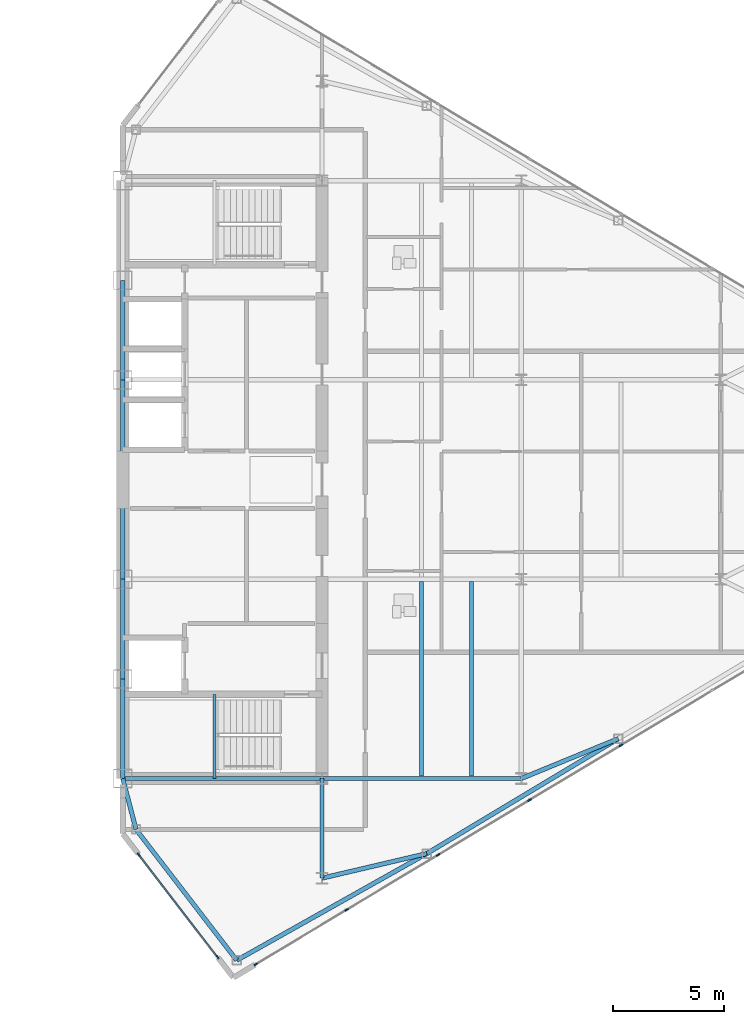
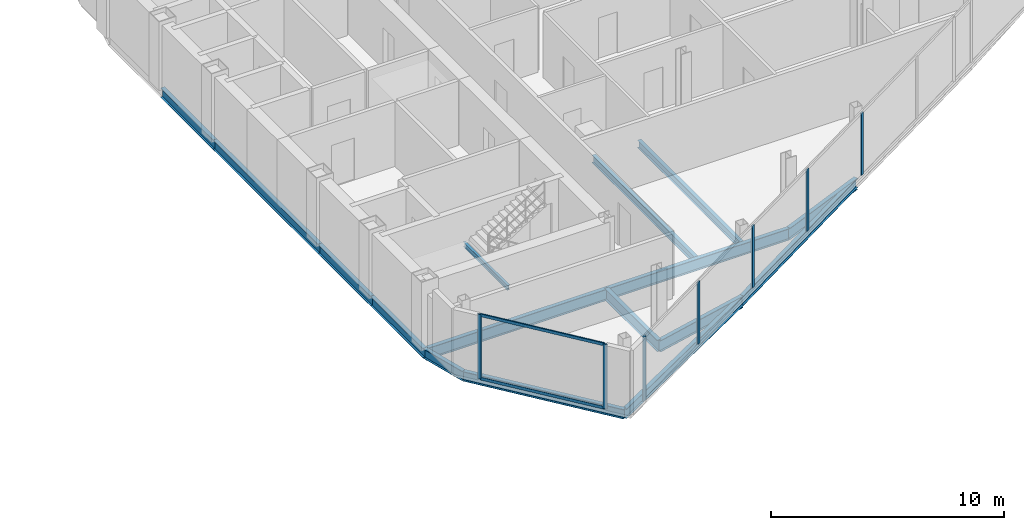
# One storey, part 11 of 26: 16 beams, 9 members, 2 elements without a shape of their own.
"""IFC4 building model written with IfcOpenShell, lengths in metres."""

from ifc_helpers import new_model, si_unit, direction, frame, origin, origin_2d, place, context, subcontext, project, spatial, rectangle, i_section, extrude, source, transform, mapped, material, layer, layer_set, material_profile, profile_set, type_object, type_shapes, element, aggregate, save


model = new_model("IFC4")

# Units and contexts
model_context = context("Model", 3, precision=1e-05, world=origin(), true_north=direction((0.0, 1.0)))
body_context = subcontext(model_context, "Body", "Model", "MODEL_VIEW")
ifc_project = project(units=[si_unit("LENGTHUNIT", "METRE"), si_unit("AREAUNIT", "SQUARE_METRE"), si_unit("VOLUMEUNIT", "CUBIC_METRE"), si_unit("PLANEANGLEUNIT", "RADIAN"), si_unit("MASSUNIT", "GRAM", prefix="KILO")], contexts=[model_context])

# Site, building, storey
site_placement = place(None, origin())
site = spatial("IfcSite", under=ifc_project, at=site_placement, CompositionType="ELEMENT")
building_placement = place(site_placement, origin())
building = spatial("IfcBuilding", under=site, at=building_placement, Name="Seokmaru Belvedere", CompositionType="ELEMENT")
storey_placement = place(building_placement, frame((0.0, 0.0, 199.5)))
storey = spatial("IfcBuildingStorey", under=building, at=storey_placement, Name="L53", CompositionType="ELEMENT", Elevation=199.5)

# Beams
ifc_material_1 = material(Name="Steel SM355 (355 MPa)", Category="steel")
ifc_material_profile_1 = material_profile(ifc_material_1, i_section(OverallWidth=0.199951171875, OverallDepth=0.5, WebThickness=0.010009765625, FlangeThickness=0.01611328125, at=origin_2d()), Name="H-500x200x10x16")
ifc_profile_set_1 = profile_set([ifc_material_profile_1], Name="Steel SM355 (355 MPa)")
beam_type_1 = type_object("IfcBeamType", Name="Perimeter Spandrel Beam H-500", PredefinedType="SPANDREL", material=ifc_profile_set_1)
shared_shape_1 = source(origin(), body_context, "Body", "SweptSolid", [
    extrude(i_section(OverallWidth=0.199951171875, OverallDepth=0.5, WebThickness=0.010009765625, FlangeThickness=0.01611328125, at=origin_2d()), origin(), (0.0, 0.0, 1.0), 4.5),
])
for number, where, z_axis, x_axis, name in (
    (1, (27.5, -13.5, -0.469970703125), (0.0, 1.0, 0.0), (-1.0, 0.0, 0.0), "L53 E Portal Spine Spandrel 1"),
    (2, (27.5, -9.0, -0.469970703125), (0.0, 1.0, 0.0), (-1.0, 0.0, 0.0), "L53 E Portal Spine Spandrel 2"),
    (3, (27.5, 4.5, -0.469970703125), (0.0, 1.0, 0.0), (-1.0, 0.0, 0.0), "L53 E Portal Spine Spandrel 4"),
):
    element("IfcBeam", number, at=place(storey_placement, frame(where, z_axis=z_axis, x_axis=x_axis)), inside=storey, type_object=beam_type_1, Name=name, PredefinedType="SPANDREL", context=body_context, shape_type="MappedRepresentation", body=[
        mapped(shared_shape_1, transform((0.0, 0.0, 0.0), scale=1.0)),
    ])
shared_shape_2 = source(origin(), body_context, "Body", "SweptSolid", [
    extrude(i_section(OverallWidth=0.199951171875, OverallDepth=0.5, WebThickness=0.010009765625, FlangeThickness=0.01611328125, at=origin_2d()), origin(), (0.0, 0.0, 1.0), 9.0),
])
beam_1_placement = place(storey_placement, frame((27.5, -4.5, -0.469970703125), z_axis=(0.0, 1.0, 0.0), x_axis=(-1.0, 0.0, 0.0)))
element("IfcBeam", 4, at=beam_1_placement, inside=storey, type_object=beam_type_1, Name="L53 E Portal Spine Spandrel 3", PredefinedType="SPANDREL", context=body_context, shape_type="MappedRepresentation", body=[
    mapped(shared_shape_2, transform((0.0, 0.0, 0.0), scale=1.0)),
])
ifc_material_profile_2 = material_profile(ifc_material_1, i_section(OverallWidth=0.199951171875, OverallDepth=0.60009765625, WebThickness=0.010986328125, FlangeThickness=0.01708984375, at=origin_2d()), Name="H-600x200x11x17")
ifc_profile_set_2 = profile_set([ifc_material_profile_2], Name="Steel SM355 (355 MPa)")
beam_type_2 = type_object("IfcBeamType", Name="Primary Floor Girder H-600", PredefinedType="BEAM", material=ifc_profile_set_2)
shared_shape_3 = source(origin(), body_context, "Body", "SweptSolid", [
    extrude(i_section(OverallWidth=0.199951171875, OverallDepth=0.60009765625, WebThickness=0.010986328125, FlangeThickness=0.01708984375, at=origin_2d()), origin(), (0.0, 0.0, 1.0), 9.0),
])
for number, where, z_axis, x_axis, name in (
    (5, (27.5, -13.5, -0.52001953125), (1.0, 0.0, 0.0), (0.0, 1.0, 0.0), "L53 E Core Tie Girder 1"),
    (6, (36.5, -13.5, -0.52001953125), (1.0, 0.0, 0.0), (0.0, 1.0, 0.0), "L53 E Wing Primary Girder 1"),
):
    element("IfcBeam", number, at=place(storey_placement, frame(where, z_axis=z_axis, x_axis=x_axis)), inside=storey, type_object=beam_type_2, Name=name, PredefinedType="BEAM", context=body_context, shape_type="MappedRepresentation", body=[
        mapped(shared_shape_3, transform((0.0, 0.0, 0.0), scale=1.0)),
    ])
ifc_material_profile_3 = material_profile(ifc_material_1, i_section(OverallWidth=0.18505859375, OverallDepth=0.389892578125, WebThickness=0.008056640625, FlangeThickness=0.011962890625, at=origin_2d()), Name="H-390x185x8x12")
ifc_profile_set_3 = profile_set([ifc_material_profile_3], Name="Steel SM355 (355 MPa)")
beam_type_3 = type_object("IfcBeamType", Name="Secondary Floor Joist H-350", PredefinedType="JOIST", material=ifc_profile_set_3)
shared_shape_4 = source(origin(), body_context, "Body", "SweptSolid", [
    extrude(i_section(OverallWidth=0.18505859375, OverallDepth=0.389892578125, WebThickness=0.008056640625, FlangeThickness=0.011962890625, at=origin_2d()), origin(), (0.0, 0.0, 1.0), 8.7900390625),
])
type_shapes(beam_type_3, [shared_shape_4])
for number, where, z_axis, x_axis, name in (
    (7, (43.25, -13.39501953125, -0.4150390625), (0.0, 1.0, 0.0), (-1.0, 0.0, 0.0), "L53 E Wing Inner Secondary Joist 1"),
    (8, (41.0, -13.39501953125, -0.4150390625), (0.0, 1.0, 0.0), (-1.0, 0.0, 0.0), "L53 E Secondary Floor Joist 1"),
):
    element("IfcBeam", number, at=place(storey_placement, frame(where, z_axis=z_axis, x_axis=x_axis)), inside=storey, type_object=beam_type_3, Name=name, PredefinedType="JOIST", context=body_context, shape_type="MappedRepresentation", body=[
        mapped(shared_shape_4, transform((0.0, 0.0, 0.0), scale=1.0)),
    ])
shared_shape_5 = source(origin(), body_context, "Body", "SweptSolid", [
    extrude(i_section(OverallWidth=0.199951171875, OverallDepth=0.60009765625, WebThickness=0.010986328125, FlangeThickness=0.01708984375, at=origin_2d()), origin(), (0.0, 0.0, 1.0), 4.5),
])
beam_2_placement = place(storey_placement, frame((36.5, -18.0, -0.52001953125), z_axis=(0.0, 1.0, 0.0), x_axis=(-1.0, 0.0, 0.0)))
element("IfcBeam", 9, at=beam_2_placement, inside=storey, type_object=beam_type_2, Name="L53 E Core Shoulder Girder S", PredefinedType="BEAM", context=body_context, shape_type="MappedRepresentation", body=[
    mapped(shared_shape_5, transform((0.0, 0.0, 0.0), scale=1.0)),
])
shared_shape_6 = source(origin(), body_context, "Body", "SweptSolid", [
    extrude(i_section(OverallWidth=0.199951171875, OverallDepth=0.5, WebThickness=0.010009765625, FlangeThickness=0.01611328125, at=origin_2d()), origin(), (0.0, 0.0, 1.0), 9.842041015625),
])
beam_3_placement = place(storey_placement, frame((32.649658203125, -21.71044921875, -0.469970703125), z_axis=(0.871782151818, 0.489893743349, 0.0), x_axis=(-0.489893743349, 0.871782151818, 0.0)))
element("IfcBeam", 10, at=beam_3_placement, inside=storey, type_object=beam_type_1, Name="L53 E Faceted Flank Spandrel S-1", PredefinedType="SPANDREL", context=body_context, shape_type="MappedRepresentation", body=[
    mapped(shared_shape_6, transform((0.0, 0.0, 0.0), scale=1.0)),
])
shared_shape_7 = source(origin(), body_context, "Body", "SweptSolid", [
    extrude(i_section(OverallWidth=0.199951171875, OverallDepth=0.5, WebThickness=0.010009765625, FlangeThickness=0.01611328125, at=origin_2d()), origin(), (0.0, 0.0, 1.0), 10.087646484375),
])
beam_4_placement = place(storey_placement, frame((41.229736328125, -16.888916015625, -0.469970703125), z_axis=(0.857499332045, 0.514485078056, 0.0), x_axis=(-0.514485078056, 0.857499332045, 0.0)))
element("IfcBeam", 11, at=beam_4_placement, inside=storey, type_object=beam_type_1, Name="L53 E Faceted Flank Spandrel S-2", PredefinedType="SPANDREL", context=body_context, shape_type="MappedRepresentation", body=[
    mapped(shared_shape_7, transform((0.0, 0.0, 0.0), scale=1.0)),
])
shared_shape_8 = source(origin(), body_context, "Body", "SweptSolid", [
    extrude(i_section(OverallWidth=0.199951171875, OverallDepth=0.5, WebThickness=0.010009765625, FlangeThickness=0.01611328125, at=origin_2d()), origin(), (0.0, 0.0, 1.0), 7.4619140625),
])
beam_5_placement = place(storey_placement, frame((32.649658203125, -21.71044921875, -0.469970703125), z_axis=(-0.609702854945, 0.792630070507, 0.0), x_axis=(-0.792630070507, -0.609702854945, 0.0)))
element("IfcBeam", 12, at=beam_5_placement, inside=storey, type_object=beam_type_1, Name="L53 E Shoulder Chamfer Spandrel S", PredefinedType="SPANDREL", context=body_context, shape_type="MappedRepresentation", body=[
    mapped(shared_shape_8, transform((0.0, 0.0, 0.0), scale=1.0)),
])
shared_shape_9 = source(origin(), body_context, "Body", "SweptSolid", [
    extrude(i_section(OverallWidth=0.199951171875, OverallDepth=0.5, WebThickness=0.010009765625, FlangeThickness=0.01611328125, at=origin_2d()), origin(), (0.0, 0.0, 1.0), 2.373046875),
])
type_shapes(beam_type_1, [shared_shape_1, shared_shape_2, shared_shape_6, shared_shape_7, shared_shape_8, shared_shape_9])
beam_6_placement = place(storey_placement, frame((28.10009765625, -15.7958984375, -0.469970703125), z_axis=(-0.252882558842, 0.967496982648, 0.0), x_axis=(-0.967496982648, -0.252882558842, 0.0)))
element("IfcBeam", 13, at=beam_6_placement, inside=storey, type_object=beam_type_1, Name="L53 E Shoulder Spine Spandrel S", PredefinedType="SPANDREL", context=body_context, shape_type="MappedRepresentation", body=[
    mapped(shared_shape_9, transform((0.0, 0.0, 0.0), scale=1.0)),
])
shared_shape_10 = source(origin(), body_context, "Body", "SweptSolid", [
    extrude(i_section(OverallWidth=0.199951171875, OverallDepth=0.60009765625, WebThickness=0.010986328125, FlangeThickness=0.01708984375, at=origin_2d()), origin(), (0.0, 0.0, 1.0), 4.8583984375),
])
beam_7_placement = place(storey_placement, frame((41.229736328125, -16.888916015625, -0.52001953125), z_axis=(-0.97349948295, -0.228689214211, 0.0), x_axis=(0.228689214211, -0.97349948295, 0.0)))
element("IfcBeam", 14, at=beam_7_placement, inside=storey, type_object=beam_type_2, Name="L53 E Flank Radial Floor Girder S-1", PredefinedType="BEAM", context=body_context, shape_type="MappedRepresentation", body=[
    mapped(shared_shape_10, transform((0.0, 0.0, 0.0), scale=1.0)),
])
shared_shape_11 = source(origin(), body_context, "Body", "SweptSolid", [
    extrude(i_section(OverallWidth=0.199951171875, OverallDepth=0.60009765625, WebThickness=0.010986328125, FlangeThickness=0.01708984375, at=origin_2d()), origin(), (0.0, 0.0, 1.0), 4.73583984375),
])
type_shapes(beam_type_2, [shared_shape_3, shared_shape_5, shared_shape_10, shared_shape_11])
beam_8_placement = place(storey_placement, frame((49.8798828125, -11.698974609375, -0.52001953125), z_axis=(-0.924860562953, -0.380306375301, 0.0), x_axis=(0.380306375301, -0.924860562953, 0.0)))
element("IfcBeam", 15, at=beam_8_placement, inside=storey, type_object=beam_type_2, Name="L53 E Flank Radial Floor Girder S-2", PredefinedType="BEAM", context=body_context, shape_type="MappedRepresentation", body=[
    mapped(shared_shape_11, transform((0.0, 0.0, 0.0), scale=1.0)),
])

# Curtain wall, member
ifc_material_2 = material(Name="Bronze Triple Insulating Glass", Category="glass")
ifc_layer = layer(ifc_material_2, 0.179931640625)
ifc_layer_set = layer_set([ifc_layer], Name="Bronze Triple Insulating Glass")
curtain_wall_type = type_object("IfcCurtainWallType", Name="High-Rise Wind-Corner Curtain Wall System CW-5", PredefinedType="NOTDEFINED", material=ifc_layer_set)
curtain_wall_1_placement = place(storey_placement, origin())
curtain_wall_1 = element("IfcCurtainWall", 16, at=curtain_wall_1_placement, inside=storey, type_object=curtain_wall_type, Name="L53 Curtain Wall EF1", PredefinedType="NOTDEFINED")
ifc_material_3 = material(Name="Anodised Bronze Aluminium", Category="aluminium")
ifc_material_profile_4 = material_profile(ifc_material_3, rectangle(XDim=0.06494140625, YDim=0.179931640625, at=origin_2d()), Name="CW-M-65x180")
ifc_profile_set_4 = profile_set([ifc_material_profile_4], Name="Anodised Bronze Aluminium")
member_type_1 = type_object("IfcMemberType", Name="Bronze Unitised Mullion 65x180", PredefinedType="MULLION", material=ifc_profile_set_4)
shared_shape_12 = source(origin(), body_context, "Body", "SweptSolid", [
    extrude(rectangle(XDim=0.06494140625, YDim=0.179931640625, at=origin_2d()), origin(), (0.0, 0.0, 1.0), 3.3798828125),
])
member_1_placement = place(storey_placement, frame((33.513916015625, -21.8916015625, 0.0), z_axis=(0.0, 0.0, 1.0), x_axis=(-0.514494909364, 0.85749343335, 0.0)))
member_1 = element("IfcMember", 17, at=member_1_placement, type_object=member_type_1, Name="CW:L53:EF1 Mullion 1", PredefinedType="MULLION", context=body_context, shape_type="MappedRepresentation", body=[
    mapped(shared_shape_12, transform((0.0, 0.0, 0.0), scale=1.0)),
])

# Curtain wall, members
curtain_wall_2_placement = place(storey_placement, origin())
curtain_wall_2 = element("IfcCurtainWall", 18, at=curtain_wall_2_placement, inside=storey, type_object=curtain_wall_type, Name="L53 Curtain Wall EF6", PredefinedType="NOTDEFINED")
member_2_placement = place(storey_placement, frame((28.220947265625, -16.937255859375, 0.0), z_axis=(0.0, 0.0, 1.0), x_axis=(0.792631353244, 0.609701187349, 0.0)))
member_2 = element("IfcMember", 19, at=member_2_placement, type_object=member_type_1, Name="CW:L53:EF6 Mullion 1", PredefinedType="MULLION", context=body_context, shape_type="MappedRepresentation", body=[
    mapped(shared_shape_12, transform((0.0, 0.0, 0.0), scale=1.0)),
])
member_3_placement = place(storey_placement, frame((31.779052734375, -21.562744140625, 0.0), z_axis=(0.0, 0.0, 1.0), x_axis=(0.792631353244, 0.609701187349, 0.0)))
member_3 = element("IfcMember", 20, at=member_3_placement, type_object=member_type_1, Name="CW:L53:EF6 Mullion 2", PredefinedType="MULLION", context=body_context, shape_type="MappedRepresentation", body=[
    mapped(shared_shape_12, transform((0.0, 0.0, 0.0), scale=1.0)),
])

# Member
shared_shape_13 = source(origin(), body_context, "Body", "SweptSolid", [
    extrude(rectangle(XDim=0.06494140625, YDim=0.179931640625, at=origin_2d()), origin(), (0.0, 0.0, 1.0), 3.25),
])
type_shapes(member_type_1, [shared_shape_12, shared_shape_13])
member_4_placement = place(storey_placement, frame((37.614501953125, -19.43115234375, 0.06494140625), z_axis=(0.0, 0.0, 1.0), x_axis=(-0.514494909364, 0.85749343335, 0.0)))
member_4 = element("IfcMember", 21, at=member_4_placement, type_object=member_type_1, Name="CW:L53:EF1 Mullion 2", PredefinedType="MULLION", context=body_context, shape_type="MappedRepresentation", body=[
    mapped(shared_shape_13, transform((0.0, 0.0, 0.0), scale=1.0)),
])

member_5_placement = place(storey_placement, frame((41.7431640625, -16.9541015625, 0.06494140625), z_axis=(0.0, 0.0, 1.0), x_axis=(-0.514494909364, 0.85749343335, 0.0)))
member_5 = element("IfcMember", 22, at=member_5_placement, type_object=member_type_1, Name="CW:L53:EF1 Mullion 3", PredefinedType="MULLION", context=body_context, shape_type="MappedRepresentation", body=[
    mapped(shared_shape_13, transform((0.0, 0.0, 0.0), scale=1.0)),
])

member_6_placement = place(storey_placement, frame((45.87158203125, -14.47705078125, 0.06494140625), z_axis=(0.0, 0.0, 1.0), x_axis=(-0.514494909364, 0.85749343335, 0.0)))
member_6 = element("IfcMember", 23, at=member_6_placement, type_object=member_type_1, Name="CW:L53:EF1 Mullion 4", PredefinedType="MULLION", context=body_context, shape_type="MappedRepresentation", body=[
    mapped(shared_shape_13, transform((0.0, 0.0, 0.0), scale=1.0)),
])

member_7_placement = place(storey_placement, frame((50.0, -12.0, 0.06494140625), z_axis=(0.0, 0.0, 1.0), x_axis=(-0.514494909364, 0.85749343335, 0.0)))
member_7 = element("IfcMember", 24, at=member_7_placement, type_object=member_type_1, Name="CW:L53:EF1 Mullion 5", PredefinedType="MULLION", context=body_context, shape_type="MappedRepresentation", body=[
    mapped(shared_shape_13, transform((0.0, 0.0, 0.0), scale=1.0)),
])

aggregate(curtain_wall_1, [member_1, member_4, member_5, member_6, member_7])

ifc_material_profile_5 = material_profile(ifc_material_3, rectangle(XDim=0.06494140625, YDim=0.14990234375, at=origin_2d()), Name="CW-T-65x150")
ifc_profile_set_5 = profile_set([ifc_material_profile_5], Name="Anodised Bronze Aluminium")
member_type_2 = type_object("IfcMemberType", Name="Bronze Unitised Transom 65x150", PredefinedType="USERDEFINED", material=ifc_profile_set_5)
shared_shape_14 = source(origin(), body_context, "Body", "SweptSolid", [
    extrude(rectangle(XDim=0.06494140625, YDim=0.14990234375, at=origin_2d()), origin(), (0.0, 0.0, 1.0), 5.77099609375),
])
type_shapes(member_type_2, [shared_shape_14])
member_8_placement = place(storey_placement, frame((28.24072265625, -16.962890625, 0.032470703125), z_axis=(0.60970258286, -0.792630279799, 0.0), x_axis=(0.792630279799, 0.60970258286, 0.0)))
member_8 = element("IfcMember", 25, at=member_8_placement, type_object=member_type_2, Name="CW:L53:EF6 Continuous Transom 1", ObjectType="TRANSOM", PredefinedType="USERDEFINED", context=body_context, shape_type="MappedRepresentation", body=[
    mapped(shared_shape_14, transform((0.0, 0.0, 0.0), scale=1.0)),
])

member_9_placement = place(storey_placement, frame((28.24072265625, -16.962890625, 3.347412109375), z_axis=(0.60970258286, -0.792630279799, 0.0), x_axis=(0.792630279799, 0.60970258286, 0.0)))
member_9 = element("IfcMember", 26, at=member_9_placement, type_object=member_type_2, Name="CW:L53:EF6 Continuous Transom 2", ObjectType="TRANSOM", PredefinedType="USERDEFINED", context=body_context, shape_type="MappedRepresentation", body=[
    mapped(shared_shape_14, transform((0.0, 0.0, 0.0), scale=1.0)),
])

aggregate(curtain_wall_2, [member_2, member_3, member_8, member_9])

# Beam
ifc_material_profile_6 = material_profile(ifc_material_1, i_section(OverallWidth=0.125, OverallDepth=0.25, WebThickness=0.006103515625, FlangeThickness=0.009033203125, at=origin_2d()), Name="H-250x125x6x9")
ifc_profile_set_6 = profile_set([ifc_material_profile_6], Name="Steel SM355 (355 MPa)")
beam_type_4 = type_object("IfcBeamType", Name="Stair Mid-Landing Support Beam H-250", PredefinedType="JOIST", material=ifc_profile_set_6)
shared_shape_15 = source(origin(), body_context, "Body", "SweptSolid", [
    extrude(i_section(OverallWidth=0.125, OverallDepth=0.25, WebThickness=0.006103515625, FlangeThickness=0.009033203125, at=origin_2d()), origin(), (0.0, 0.0, 1.0), 3.800048828125),
])
type_shapes(beam_type_4, [shared_shape_15])
beam_9_placement = place(storey_placement, frame((31.64990234375, -13.5, 1.47509765625), z_axis=(0.0, 1.0, 0.0), x_axis=(-1.0, 0.0, 0.0)))
element("IfcBeam", 27, at=beam_9_placement, inside=storey, type_object=beam_type_4, Name="L53 Stair ST-E1 Mid-Landing Support Beam 1", PredefinedType="JOIST", context=body_context, shape_type="MappedRepresentation", body=[
    mapped(shared_shape_15, transform((0.0, 0.0, 0.0), scale=1.0)),
])

save(model, "model.ifc")
